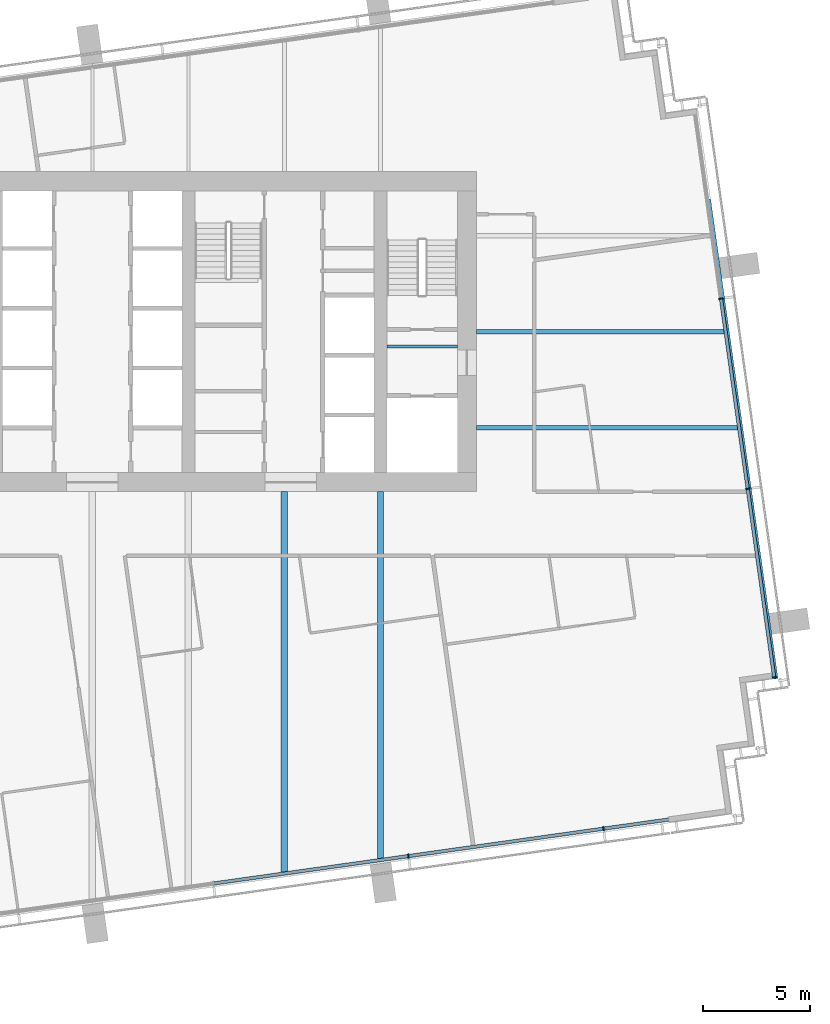
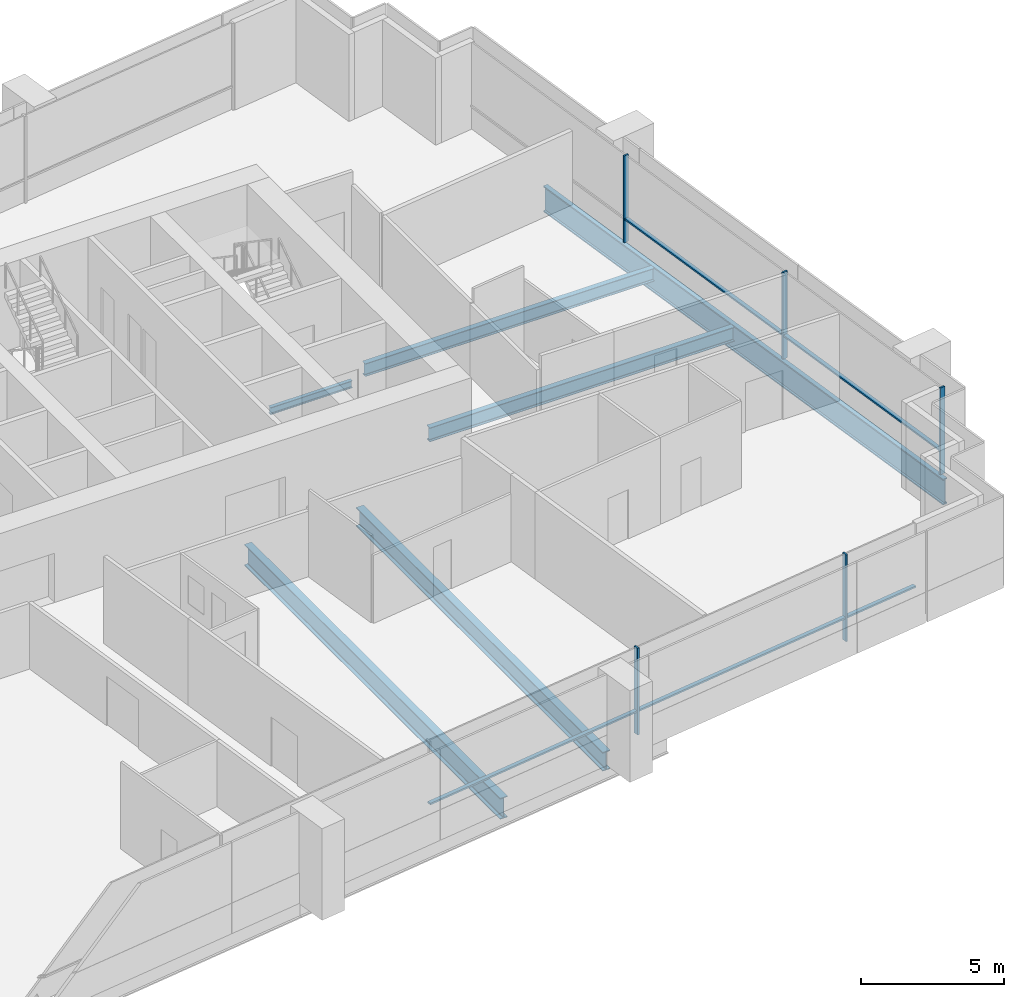
# One storey, part 5 of 18: 10 members, 6 beams, 2 elements without a shape of their own.
"""IFC4 building model written with IfcOpenShell, lengths in metres."""

from ifc_helpers import new_model, si_unit, direction, frame, origin, origin_2d, place, context, subcontext, project, spatial, rectangle, i_section, extrude, material, layer, layer_set, material_profile, profile_set, type_object, element, aggregate, save


model = new_model("IFC4")

# Units and contexts
model_context = context("Model", 3, precision=1e-05, world=origin(), true_north=direction((0.0, 1.0)))
body_context = subcontext(model_context, "Body", "Model", "MODEL_VIEW")
ifc_project = project(units=[si_unit("LENGTHUNIT", "METRE"), si_unit("AREAUNIT", "SQUARE_METRE"), si_unit("VOLUMEUNIT", "CUBIC_METRE"), si_unit("PLANEANGLEUNIT", "RADIAN"), si_unit("MASSUNIT", "GRAM", prefix="KILO")], contexts=[model_context])

# Site, building, storey
site_placement = place(None, origin())
site = spatial("IfcSite", under=ifc_project, at=site_placement, CompositionType="ELEMENT")
building_placement = place(site_placement, origin())
building = spatial("IfcBuilding", under=site, at=building_placement, Name="Rattan Terrace Tower", CompositionType="ELEMENT")
storey_placement = place(building_placement, frame((0.0, 0.0, 233.0)))
storey = spatial("IfcBuildingStorey", under=building, at=storey_placement, Name="L53", CompositionType="ELEMENT", Elevation=233.0)

# Beams
ifc_material_1 = material(Name="Steel S460", Category="steel")
ifc_material_profile_1 = material_profile(ifc_material_1, i_section(OverallWidth=0.179931640625, OverallDepth=1.10009765625, WebThickness=0.01611328125, FlangeThickness=0.050048828125, at=origin_2d()), Name="PG 1100x180-16-50")
ifc_profile_set_1 = profile_set([ifc_material_profile_1], Name="Steel S460")
beam_type_1 = type_object("IfcBeamType", Name="Frame edge girder PG 1100x180-16-50", PredefinedType="SPANDREL", material=ifc_profile_set_1)
beam_1_placement = place(storey_placement, frame((28.883056640625, 6.18505859375, -0.75), z_axis=(0.139138162292, -0.990272978423, 0.0), x_axis=(0.990272978423, 0.139138162292, 0.0)))
element("IfcBeam", 1, at=beam_1_placement, inside=storey, type_object=beam_type_1, Name="gdr-L53-004", PredefinedType="SPANDREL", context=body_context, shape_type="SweptSolid", body=[
    extrude(i_section(OverallWidth=0.179931640625, OverallDepth=1.10009765625, WebThickness=0.01611328125, FlangeThickness=0.050048828125, at=origin_2d()), origin(), (0.0, 0.0, 1.0), 22.66845703125),
])
ifc_material_2 = material(Name="Steel S355", Category="steel")
ifc_material_profile_2 = material_profile(ifc_material_2, i_section(OverallWidth=0.300048828125, OverallDepth=0.800048828125, WebThickness=0.017578125, FlangeThickness=0.032958984375, FilletRadius=0.030029296875, at=origin_2d()), Name="HE 800 B")
ifc_profile_set_2 = profile_set([ifc_material_profile_2], Name="Steel S355")
beam_type_2 = type_object("IfcBeamType", Name="Frame floor beam HE 800 B", PredefinedType="JOIST", material=ifc_profile_set_2)
beam_2_placement = place(storey_placement, frame((13.5, -24.72509765625, -0.60009765625), z_axis=(0.0, 1.0, 0.0), x_axis=(-1.0, 0.0, 0.0)))
element("IfcBeam", 2, at=beam_2_placement, inside=storey, type_object=beam_type_2, Name="bm-L53-008", PredefinedType="JOIST", context=body_context, shape_type="SweptSolid", body=[
    extrude(i_section(OverallWidth=0.300048828125, OverallDepth=0.800048828125, WebThickness=0.017578125, FlangeThickness=0.032958984375, FilletRadius=0.030029296875, at=origin_2d()), origin(), (0.0, 0.0, 1.0), 17.22509765625),
])
ifc_material_3 = material(Name="Steel S355", Category="steel")
ifc_material_profile_3 = material_profile(ifc_material_3, i_section(OverallWidth=0.300048828125, OverallDepth=0.89990234375, WebThickness=0.0185546875, FlangeThickness=0.034912109375, FilletRadius=0.030029296875, at=origin_2d()), Name="HE 900 B")
ifc_profile_set_3 = profile_set([ifc_material_profile_3], Name="Steel S355")
beam_type_3 = type_object("IfcBeamType", Name="Frame floor beam HE 900 B", PredefinedType="JOIST", material=ifc_profile_set_3)
beam_3_placement = place(storey_placement, frame((9.0, -25.35693359375, -0.64990234375), z_axis=(0.0, 1.0, 0.0), x_axis=(-1.0, 0.0, 0.0)))
element("IfcBeam", 3, at=beam_3_placement, inside=storey, type_object=beam_type_3, Name="bm-L53-007", PredefinedType="JOIST", context=body_context, shape_type="SweptSolid", body=[
    extrude(i_section(OverallWidth=0.300048828125, OverallDepth=0.89990234375, WebThickness=0.0185546875, FlangeThickness=0.034912109375, FilletRadius=0.030029296875, at=origin_2d()), origin(), (0.0, 0.0, 1.0), 17.85693359375),
])
ifc_material_4 = material(Name="Steel S355", Category="steel")
ifc_material_profile_4 = material_profile(ifc_material_4, i_section(OverallWidth=0.14990234375, OverallDepth=0.300048828125, WebThickness=0.007080078125, FlangeThickness=0.0107421875, FilletRadius=0.014892578125, at=origin_2d()), Name="IPE 300")
ifc_profile_set_4 = profile_set([ifc_material_profile_4], Name="Steel S355")
beam_type_4 = type_object("IfcBeamType", Name="Frame floor beam IPE 300", PredefinedType="JOIST", material=ifc_profile_set_4)
beam_4_placement = place(storey_placement, frame((13.800048828125, -0.695068359375, -0.35009765625), z_axis=(1.0, 0.0, 0.0), x_axis=(0.0, 1.0, 0.0)))
element("IfcBeam", 4, at=beam_4_placement, inside=storey, type_object=beam_type_4, Name="bm-L53-002", PredefinedType="JOIST", context=body_context, shape_type="SweptSolid", body=[
    extrude(i_section(OverallWidth=0.14990234375, OverallDepth=0.300048828125, WebThickness=0.007080078125, FlangeThickness=0.0107421875, FilletRadius=0.014892578125, at=origin_2d()), origin(), (0.0, 0.0, 1.0), 3.300048828125),
])
ifc_material_5 = material(Name="Steel S355", Category="steel")
ifc_material_profile_5 = material_profile(ifc_material_5, i_section(OverallWidth=0.2099609375, OverallDepth=0.550048828125, WebThickness=0.010986328125, FlangeThickness=0.01708984375, FilletRadius=0.02392578125, at=origin_2d()), Name="IPE 550")
ifc_profile_set_5 = profile_set([ifc_material_profile_5], Name="Steel S355")
beam_type_5 = type_object("IfcBeamType", Name="Frame floor beam IPE 550", PredefinedType="JOIST", material=ifc_profile_set_5)
beam_5_placement = place(storey_placement, frame((18.0, 0.0, -0.47509765625), z_axis=(1.0, 0.0, 0.0), x_axis=(0.0, 1.0, 0.0)))
element("IfcBeam", 5, at=beam_5_placement, inside=storey, type_object=beam_type_5, Name="bm-L53-012", PredefinedType="JOIST", context=body_context, shape_type="SweptSolid", body=[
    extrude(i_section(OverallWidth=0.2099609375, OverallDepth=0.550048828125, WebThickness=0.010986328125, FlangeThickness=0.01708984375, FilletRadius=0.02392578125, at=origin_2d()), origin(), (0.0, 0.0, 1.0), 11.64599609375),
])
ifc_material_6 = material(Name="Steel S355", Category="steel")
ifc_material_profile_6 = material_profile(ifc_material_6, i_section(OverallWidth=0.219970703125, OverallDepth=0.60009765625, WebThickness=0.011962890625, FlangeThickness=0.01904296875, FilletRadius=0.02392578125, at=origin_2d()), Name="IPE 600")
ifc_profile_set_6 = profile_set([ifc_material_profile_6], Name="Steel S355")
beam_type_6 = type_object("IfcBeamType", Name="Frame floor beam IPE 600", PredefinedType="JOIST", material=ifc_profile_set_6)
beam_6_placement = place(storey_placement, frame((18.0, -4.5, -0.5), z_axis=(1.0, 0.0, 0.0), x_axis=(0.0, 1.0, 0.0)))
element("IfcBeam", 6, at=beam_6_placement, inside=storey, type_object=beam_type_6, Name="bm-L53-010", PredefinedType="JOIST", context=body_context, shape_type="SweptSolid", body=[
    extrude(i_section(OverallWidth=0.219970703125, OverallDepth=0.60009765625, WebThickness=0.011962890625, FlangeThickness=0.01904296875, FilletRadius=0.02392578125, at=origin_2d()), origin(), (0.0, 0.0, 1.0), 12.278076171875),
])

# Curtain wall, members
ifc_material_7 = material(Name="Aluminium and laminated glass", Category="aluminium")
ifc_layer = layer(ifc_material_7, 0.199951171875)
ifc_layer_set = layer_set([ifc_layer], Name="High-Zone Unitised Curtain Wall")
curtain_wall_type = type_object("IfcCurtainWallType", Name="High-Zone Unitised Curtain Wall", PredefinedType="NOTDEFINED", material=ifc_layer_set)
curtain_wall_1_placement = place(storey_placement, origin())
curtain_wall_1 = element("IfcCurtainWall", 7, at=curtain_wall_1_placement, inside=storey, type_object=curtain_wall_type, Name="High-zone curtain wall L53-1", PredefinedType="NOTDEFINED")
ifc_material_8 = material(Name="Aluminium", Category="aluminium")
ifc_material_profile_7 = material_profile(ifc_material_8, rectangle(XDim=0.070068359375, YDim=0.199951171875, at=origin_2d()), Name="Aluminium 70x200")
ifc_profile_set_7 = profile_set([ifc_material_profile_7], Name="Aluminium")
member_type_1 = type_object("IfcMemberType", Name="High-Zone CW Mullion 70x200", PredefinedType="MULLION", material=ifc_profile_set_7)
member_1_placement = place(storey_placement, frame((31.946533203125, -16.1943359375, 0.0), z_axis=(0.0, 0.0, 1.0), x_axis=(-0.139186165309, 0.990266232579, 0.0)))
member_1 = element("IfcMember", 8, at=member_1_placement, type_object=member_type_1, Name="Mullion cwl-L53-001.1", PredefinedType="MULLION", context=body_context, shape_type="SweptSolid", body=[
    extrude(rectangle(XDim=0.070068359375, YDim=0.199951171875, at=origin_2d()), origin(), (0.0, 0.0, 1.0), 3.699951171875),
])
member_2_placement = place(storey_placement, frame((30.705078125, -7.361328125, 0.0), z_axis=(0.0, 0.0, 1.0), x_axis=(-0.139186165309, 0.990266232579, 0.0)))
member_2 = element("IfcMember", 9, at=member_2_placement, type_object=member_type_1, Name="Mullion cwl-L53-001.2", PredefinedType="MULLION", context=body_context, shape_type="SweptSolid", body=[
    extrude(rectangle(XDim=0.070068359375, YDim=0.199951171875, at=origin_2d()), origin(), (0.0, 0.0, 1.0), 3.699951171875),
])
member_3_placement = place(storey_placement, frame((29.452392578125, 1.551025390625, 0.0), z_axis=(0.0, 0.0, 1.0), x_axis=(-0.139186165309, 0.990266232579, 0.0)))
member_3 = element("IfcMember", 10, at=member_3_placement, type_object=member_type_1, Name="Mullion cwl-L53-001.3", PredefinedType="MULLION", context=body_context, shape_type="SweptSolid", body=[
    extrude(rectangle(XDim=0.070068359375, YDim=0.199951171875, at=origin_2d()), origin(), (0.0, 0.0, 1.0), 3.699951171875),
])

curtain_wall_2_placement = place(storey_placement, origin())
curtain_wall_2 = element("IfcCurtainWall", 11, at=curtain_wall_2_placement, inside=storey, type_object=curtain_wall_type, Name="High-zone curtain wall L53-4", PredefinedType="NOTDEFINED")
member_4_placement = place(storey_placement, frame((14.808837890625, -24.571533203125, 0.0), z_axis=(0.0, 0.0, 1.0), x_axis=(0.990267457022, 0.139177453499, 0.0)))
member_4 = element("IfcMember", 12, at=member_4_placement, type_object=member_type_1, Name="Mullion cwl-L53-004.4", PredefinedType="MULLION", context=body_context, shape_type="SweptSolid", body=[
    extrude(rectangle(XDim=0.070068359375, YDim=0.199951171875, at=origin_2d()), origin(), (0.0, 0.0, 1.0), 3.699951171875),
])
member_5_placement = place(storey_placement, frame((23.949951171875, -23.28662109375, 0.0), z_axis=(0.0, 0.0, 1.0), x_axis=(0.990267457022, 0.139177453499, 0.0)))
member_5 = element("IfcMember", 13, at=member_5_placement, type_object=member_type_1, Name="Mullion cwl-L53-004.5", PredefinedType="MULLION", context=body_context, shape_type="SweptSolid", body=[
    extrude(rectangle(XDim=0.070068359375, YDim=0.199951171875, at=origin_2d()), origin(), (0.0, 0.0, 1.0), 3.699951171875),
])

# Member
ifc_material_9 = material(Name="Aluminium", Category="aluminium")
ifc_material_profile_8 = material_profile(ifc_material_9, rectangle(XDim=0.159912109375, YDim=0.070068359375, at=origin_2d()), Name="Aluminium 160x70")
ifc_profile_set_8 = profile_set([ifc_material_profile_8], Name="Aluminium")
member_type_2 = type_object("IfcMemberType", Name="High-Zone CW Transom 160x70", PredefinedType="USERDEFINED", material=ifc_profile_set_8)
member_6_placement = place(storey_placement, frame((31.941650390625, -16.159912109375, 1.0), z_axis=(-0.139173253985, 0.990268047235, 0.0), x_axis=(-0.990268047235, -0.139173253985, 0.0)))
member_6 = element("IfcMember", 14, at=member_6_placement, type_object=member_type_2, Name="Transom cwl-L53-001.1", ObjectType="TRANSOM", PredefinedType="USERDEFINED", context=body_context, shape_type="SweptSolid", body=[
    extrude(rectangle(XDim=0.159912109375, YDim=0.070068359375, at=origin_2d()), origin(), (0.0, 0.0, 1.0), 8.85009765625),
])

member_7_placement = place(storey_placement, frame((30.7001953125, -7.32666015625, 1.0), z_axis=(-0.139185713085, 0.990266296141, 0.0), x_axis=(-0.990266296141, -0.139185713085, 0.0)))
member_7 = element("IfcMember", 15, at=member_7_placement, type_object=member_type_2, Name="Transom cwl-L53-001.2", ObjectType="TRANSOM", PredefinedType="USERDEFINED", context=body_context, shape_type="SweptSolid", body=[
    extrude(rectangle(XDim=0.159912109375, YDim=0.070068359375, at=origin_2d()), origin(), (0.0, 0.0, 1.0), 8.929931640625),
])

aggregate(curtain_wall_1, [member_1, member_2, member_3, member_6, member_7])

member_8_placement = place(storey_placement, frame((5.702392578125, -25.851318359375, 1.0), z_axis=(0.990265190222, 0.139193581154, 0.0), x_axis=(-0.139193581154, 0.990265190222, 0.0)))
member_8 = element("IfcMember", 16, at=member_8_placement, type_object=member_type_2, Name="Transom cwl-L53-004.3", ObjectType="TRANSOM", PredefinedType="USERDEFINED", context=body_context, shape_type="SweptSolid", body=[
    extrude(rectangle(XDim=0.159912109375, YDim=0.070068359375, at=origin_2d()), origin(), (0.0, 0.0, 1.0), 9.160888671875),
])

member_9_placement = place(storey_placement, frame((14.843505859375, -24.566650390625, 1.0), z_axis=(0.990265190222, 0.139193581154, 0.0), x_axis=(-0.139193581154, 0.990265190222, 0.0)))
member_9 = element("IfcMember", 17, at=member_9_placement, type_object=member_type_2, Name="Transom cwl-L53-004.4", ObjectType="TRANSOM", PredefinedType="USERDEFINED", context=body_context, shape_type="SweptSolid", body=[
    extrude(rectangle(XDim=0.159912109375, YDim=0.070068359375, at=origin_2d()), origin(), (0.0, 0.0, 1.0), 9.160888671875),
])

member_10_placement = place(storey_placement, frame((23.984619140625, -23.28173828125, 1.0), z_axis=(0.990269723995, 0.139161322712, 0.0), x_axis=(-0.139161322712, 0.990269723995, 0.0)))
member_10 = element("IfcMember", 18, at=member_10_placement, type_object=member_type_2, Name="Transom cwl-L53-004.5", ObjectType="TRANSOM", PredefinedType="USERDEFINED", context=body_context, shape_type="SweptSolid", body=[
    extrude(rectangle(XDim=0.159912109375, YDim=0.070068359375, at=origin_2d()), origin(), (0.0, 0.0, 1.0), 3.040283203125),
])

aggregate(curtain_wall_2, [member_4, member_5, member_8, member_9, member_10])

save(model, "model.ifc")
